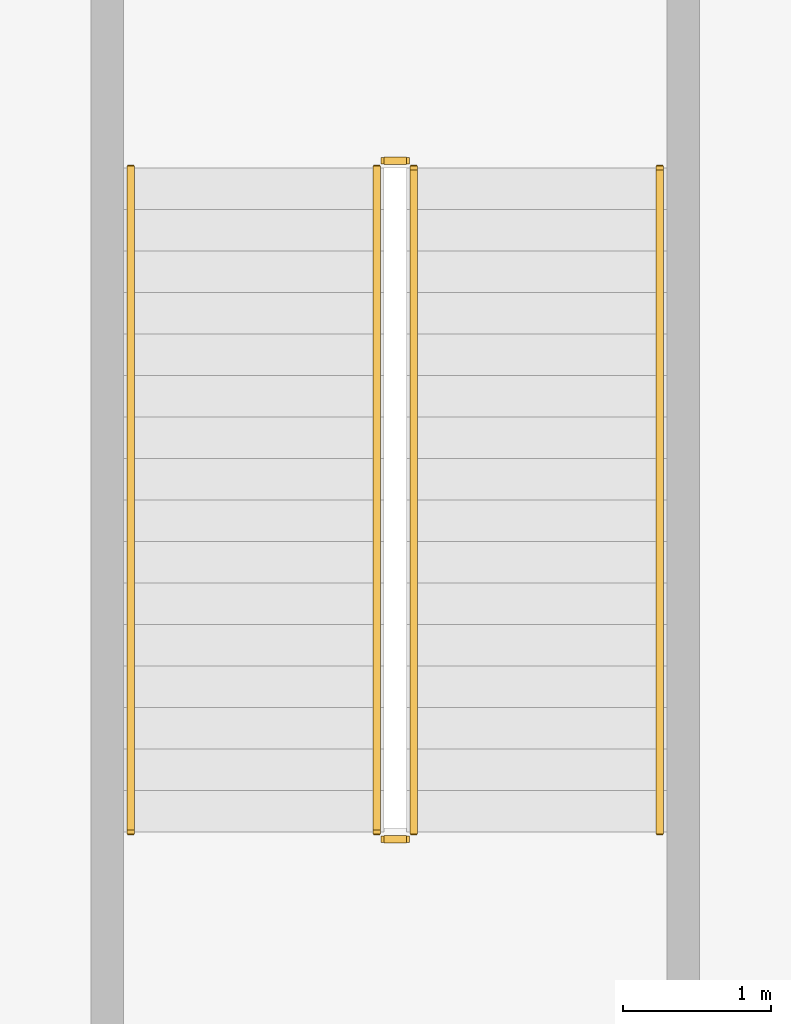
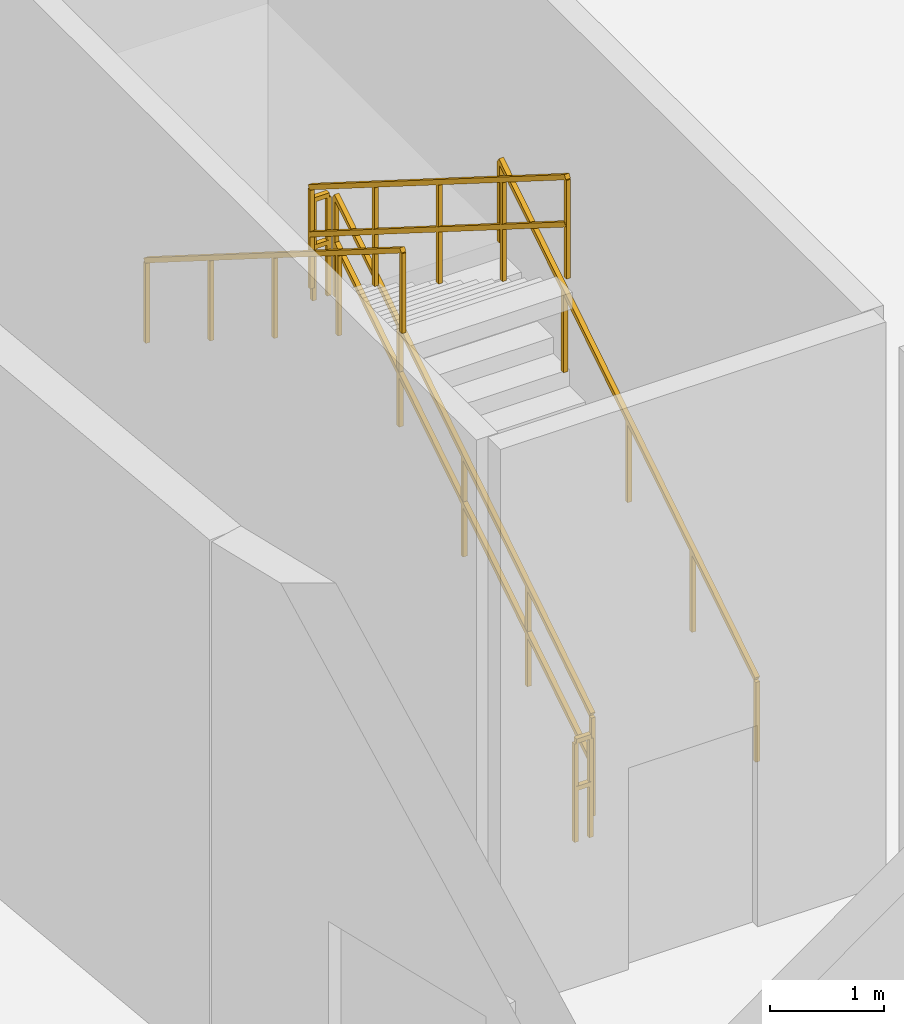
# One storey, part 9 of 14: 6 railings.
"""IFC4 building model written with IfcOpenShell, lengths in metres."""

from ifc_helpers import new_model, si_unit, direction, frame, origin, origin_2d, place, context, subcontext, project, spatial, rectangle, extrude, material, type_object, element, save


model = new_model("IFC4")

# Units and contexts
model_context = context("Model", 3, precision=1e-05, world=origin(), true_north=direction((0.0, 1.0)))
body_context = subcontext(model_context, "Body", "Model", "MODEL_VIEW")
ifc_project = project(units=[si_unit("LENGTHUNIT", "METRE"), si_unit("AREAUNIT", "SQUARE_METRE"), si_unit("VOLUMEUNIT", "CUBIC_METRE"), si_unit("PLANEANGLEUNIT", "RADIAN"), si_unit("MASSUNIT", "GRAM", prefix="KILO")], contexts=[model_context])

# Site, building, storey
site_placement = place(None, origin())
site = spatial("IfcSite", under=ifc_project, at=site_placement, CompositionType="ELEMENT")
building_placement = place(site_placement, origin())
building = spatial("IfcBuilding", under=site, at=building_placement, Name="Breltana Convention Tower", CompositionType="ELEMENT")
storey_placement = place(building_placement, origin())
storey = spatial("IfcBuildingStorey", under=building, at=storey_placement, Name="L00", CompositionType="ELEMENT", Elevation=0.0)

# Railings
ifc_material_1 = material(Name="Steel S275 Painted", Category="steel")
railing_type_1 = type_object("IfcRailingType", Name="RL-STAIR-GUARD-1100", PredefinedType="GUARDRAIL", material=ifc_material_1)
railing_1_placement = place(storey_placement, frame((7.4599609375, 38.56005859375, 0.176513671875)))
element("IfcRailing", 1, at=railing_1_placement, inside=storey, type_object=railing_type_1, Name="L00 ST-3 stair guard 1", PredefinedType="GUARDRAIL", context=body_context, shape_type="SweptSolid", body=[
    extrude(rectangle(XDim=0.048095703125, YDim=0.048095703125, at=origin_2d()), frame((0.0, 0.0, 1.076171875), z_axis=(0.0, 0.845997938375, 0.533186166611), x_axis=(-1.0, 0.0, 0.0)), (0.0, 0.0, 1.0), 5.29541015625),
    extrude(rectangle(XDim=0.048095703125, YDim=0.048095703125, at=origin_2d()), frame((0.0, 0.0, 0.572021484375), z_axis=(0.0, 0.845997938375, 0.533186166611), x_axis=(-1.0, 0.0, 0.0)), (0.0, 0.0, 1.0), 5.29541015625),
    extrude(rectangle(XDim=0.0419921875, YDim=0.0419921875, at=origin_2d()), origin(), (0.0, 0.0, 1.0), 1.052001953125),
    extrude(rectangle(XDim=0.0419921875, YDim=0.0419921875, at=origin_2d()), frame((0.0, 1.1201171875, 0.705810546875)), (0.0, 0.0, 1.0), 1.052001953125),
    extrude(rectangle(XDim=0.0419921875, YDim=0.0419921875, at=origin_2d()), frame((0.0, 2.239990234375, 1.41162109375)), (0.0, 0.0, 1.0), 1.052001953125),
    extrude(rectangle(XDim=0.0419921875, YDim=0.0419921875, at=origin_2d()), frame((0.0, 3.35986328125, 2.11767578125)), (0.0, 0.0, 1.0), 1.052001953125),
    extrude(rectangle(XDim=0.0419921875, YDim=0.0419921875, at=origin_2d()), frame((0.0, 4.47998046875, 2.823486328125)), (0.0, 0.0, 1.0), 1.052001953125),
])
railing_2_placement = place(storey_placement, frame((7.409912109375, 43.090087890625, 3.0)))
element("IfcRailing", 2, at=railing_2_placement, inside=storey, type_object=railing_type_1, Name="L00 ST-3 stair guard 2", PredefinedType="GUARDRAIL", context=body_context, shape_type="SweptSolid", body=[
    extrude(rectangle(XDim=0.048095703125, YDim=0.048095703125, at=origin_2d()), frame((0.0, 0.0, 1.076171875), z_axis=(-1.0, 0.0, 0.0), x_axis=(0.0, -1.0, 0.0)), (0.0, 0.0, 1.0), 0.14990234375),
    extrude(rectangle(XDim=0.048095703125, YDim=0.048095703125, at=origin_2d()), frame((0.0, 0.0, 0.572021484375), z_axis=(-1.0, 0.0, 0.0), x_axis=(0.0, -1.0, 0.0)), (0.0, 0.0, 1.0), 0.14990234375),
    extrude(rectangle(XDim=0.0419921875, YDim=0.0419921875, at=origin_2d()), origin(), (0.0, 0.0, 1.0), 1.052001953125),
    extrude(rectangle(XDim=0.0419921875, YDim=0.0419921875, at=origin_2d()), frame((-0.14990234375, 0.0, 0.0)), (0.0, 0.0, 1.0), 1.052001953125),
])
railing_3_placement = place(storey_placement, frame((7.2099609375, 43.0400390625, 3.176513671875)))
element("IfcRailing", 3, at=railing_3_placement, inside=storey, type_object=railing_type_1, Name="L00 ST-3 stair guard 3", PredefinedType="GUARDRAIL", context=body_context, shape_type="SweptSolid", body=[
    extrude(rectangle(XDim=0.048095703125, YDim=0.048095703125, at=origin_2d()), frame((0.0, 0.0, 1.076171875), z_axis=(0.0, -0.845997938375, 0.533186166611), x_axis=(1.0, 0.0, 0.0)), (0.0, 0.0, 1.0), 5.29541015625),
    extrude(rectangle(XDim=0.048095703125, YDim=0.048095703125, at=origin_2d()), frame((0.0, 0.0, 0.572021484375), z_axis=(0.0, -0.845997938375, 0.533186166611), x_axis=(1.0, 0.0, 0.0)), (0.0, 0.0, 1.0), 5.29541015625),
    extrude(rectangle(XDim=0.0419921875, YDim=0.0419921875, at=origin_2d()), origin(), (0.0, 0.0, 1.0), 1.052001953125),
    extrude(rectangle(XDim=0.0419921875, YDim=0.0419921875, at=origin_2d()), frame((0.0, -1.1201171875, 0.705810546875)), (0.0, 0.0, 1.0), 1.052001953125),
    extrude(rectangle(XDim=0.0419921875, YDim=0.0419921875, at=origin_2d()), frame((0.0, -2.239990234375, 1.41162109375)), (0.0, 0.0, 1.0), 1.052001953125),
    extrude(rectangle(XDim=0.0419921875, YDim=0.0419921875, at=origin_2d()), frame((0.0, -3.35986328125, 2.11767578125)), (0.0, 0.0, 1.0), 1.052001953125),
    extrude(rectangle(XDim=0.0419921875, YDim=0.0419921875, at=origin_2d()), frame((0.0, -4.47998046875, 2.823486328125)), (0.0, 0.0, 1.0), 1.052001953125),
])
railing_4_placement = place(storey_placement, frame((7.409912109375, 38.510009765625, 0.0)))
element("IfcRailing", 4, at=railing_4_placement, inside=storey, type_object=railing_type_1, Name="L00 ST-3 stair guard 4", PredefinedType="GUARDRAIL", context=body_context, shape_type="SweptSolid", body=[
    extrude(rectangle(XDim=0.048095703125, YDim=0.048095703125, at=origin_2d()), frame((0.0, 0.0, 1.076171875), z_axis=(-1.0, 0.0, 0.0), x_axis=(0.0, -1.0, 0.0)), (0.0, 0.0, 1.0), 0.14990234375),
    extrude(rectangle(XDim=0.048095703125, YDim=0.048095703125, at=origin_2d()), frame((0.0, 0.0, 0.572021484375), z_axis=(-1.0, 0.0, 0.0), x_axis=(0.0, -1.0, 0.0)), (0.0, 0.0, 1.0), 0.14990234375),
    extrude(rectangle(XDim=0.0419921875, YDim=0.0419921875, at=origin_2d()), origin(), (0.0, 0.0, 1.0), 1.052001953125),
    extrude(rectangle(XDim=0.0419921875, YDim=0.0419921875, at=origin_2d()), frame((-0.14990234375, 0.0, 0.0)), (0.0, 0.0, 1.0), 1.052001953125),
])
ifc_material_2 = material(Name="Stainless Steel 316L", Category="steel")
railing_type_2 = type_object("IfcRailingType", Name="RL-STAIR-HANDRAIL-900", PredefinedType="HANDRAIL", material=ifc_material_2)
railing_5_placement = place(storey_placement, frame((9.1201171875, 38.56005859375, 0.176513671875)))
element("IfcRailing", 5, at=railing_5_placement, inside=storey, type_object=railing_type_2, Name="L00 ST-3 stair handrail 1", PredefinedType="HANDRAIL", context=body_context, shape_type="SweptSolid", body=[
    extrude(rectangle(XDim=0.048095703125, YDim=0.048095703125, at=origin_2d()), frame((0.0, 0.0, 0.8759765625), z_axis=(0.0, 0.845997938375, 0.533186166611), x_axis=(-1.0, 0.0, 0.0)), (0.0, 0.0, 1.0), 5.29541015625),
    extrude(rectangle(XDim=0.0419921875, YDim=0.0419921875, at=origin_2d()), origin(), (0.0, 0.0, 1.0), 0.851806640625),
    extrude(rectangle(XDim=0.0419921875, YDim=0.0419921875, at=origin_2d()), frame((0.0, 1.1201171875, 0.705810546875)), (0.0, 0.0, 1.0), 0.851806640625),
    extrude(rectangle(XDim=0.0419921875, YDim=0.0419921875, at=origin_2d()), frame((0.0, 2.239990234375, 1.41162109375)), (0.0, 0.0, 1.0), 0.851806640625),
    extrude(rectangle(XDim=0.0419921875, YDim=0.0419921875, at=origin_2d()), frame((0.0, 3.35986328125, 2.11767578125)), (0.0, 0.0, 1.0), 0.851806640625),
    extrude(rectangle(XDim=0.0419921875, YDim=0.0419921875, at=origin_2d()), frame((0.0, 4.47998046875, 2.823486328125)), (0.0, 0.0, 1.0), 0.851806640625),
])
railing_6_placement = place(storey_placement, frame((5.550048828125, 43.0400390625, 3.176513671875)))
element("IfcRailing", 6, at=railing_6_placement, inside=storey, type_object=railing_type_2, Name="L00 ST-3 stair handrail 2", PredefinedType="HANDRAIL", context=body_context, shape_type="SweptSolid", body=[
    extrude(rectangle(XDim=0.048095703125, YDim=0.048095703125, at=origin_2d()), frame((0.0, 0.0, 0.8759765625), z_axis=(0.0, -0.845997938375, 0.533186166611), x_axis=(1.0, 0.0, 0.0)), (0.0, 0.0, 1.0), 5.29541015625),
    extrude(rectangle(XDim=0.0419921875, YDim=0.0419921875, at=origin_2d()), origin(), (0.0, 0.0, 1.0), 0.851806640625),
    extrude(rectangle(XDim=0.0419921875, YDim=0.0419921875, at=origin_2d()), frame((0.0, -1.1201171875, 0.705810546875)), (0.0, 0.0, 1.0), 0.851806640625),
    extrude(rectangle(XDim=0.0419921875, YDim=0.0419921875, at=origin_2d()), frame((0.0, -2.239990234375, 1.41162109375)), (0.0, 0.0, 1.0), 0.851806640625),
    extrude(rectangle(XDim=0.0419921875, YDim=0.0419921875, at=origin_2d()), frame((0.0, -3.35986328125, 2.11767578125)), (0.0, 0.0, 1.0), 0.851806640625),
    extrude(rectangle(XDim=0.0419921875, YDim=0.0419921875, at=origin_2d()), frame((0.0, -4.47998046875, 2.823486328125)), (0.0, 0.0, 1.0), 0.851806640625),
])

save(model, "model.ifc")
